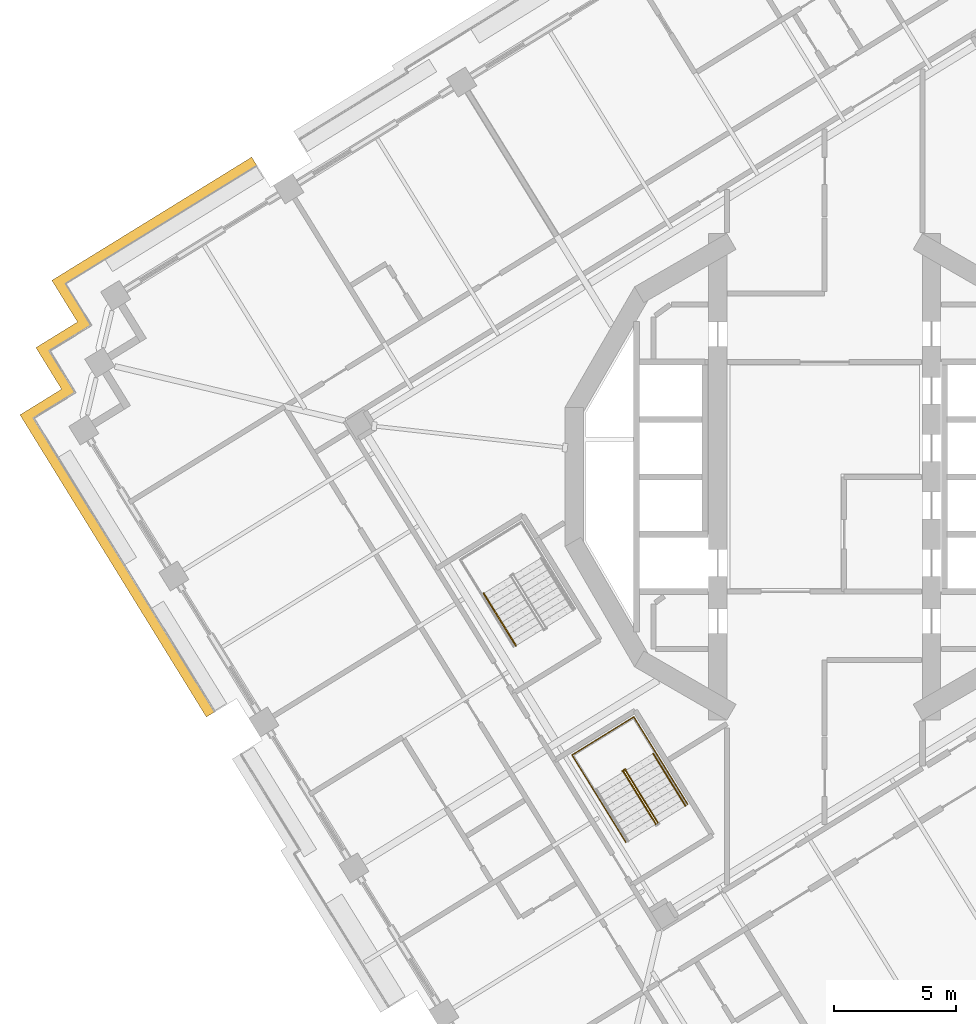
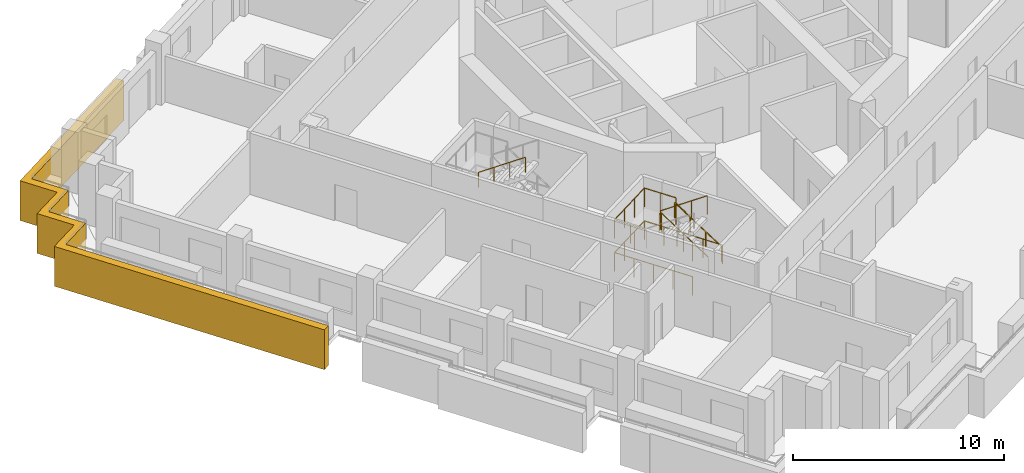
# One storey, part 14 of 21: 6 railings, 1 covering.
"""IFC4 building model written with IfcOpenShell, lengths in metres."""

from ifc_helpers import new_model, si_unit, direction, frame, origin, origin_2d, place, context, subcontext, project, spatial, polyline, circle, outline, extrude, material, type_object, element, save


model = new_model("IFC4")

# Units and contexts
model_context = context("Model", 3, precision=1e-05, world=origin(), true_north=direction((0.0, 1.0)))
body_context = subcontext(model_context, "Body", "Model", "MODEL_VIEW")
ifc_project = project(units=[si_unit("LENGTHUNIT", "METRE"), si_unit("AREAUNIT", "SQUARE_METRE"), si_unit("VOLUMEUNIT", "CUBIC_METRE"), si_unit("PLANEANGLEUNIT", "RADIAN"), si_unit("MASSUNIT", "GRAM", prefix="KILO")], contexts=[model_context])

# Site, building, storey
site_placement = place(None, origin())
site = spatial("IfcSite", under=ifc_project, at=site_placement, CompositionType="ELEMENT")
building_placement = place(site_placement, origin())
building = spatial("IfcBuilding", under=site, at=building_placement, Name="Cantera Rosa Tower", CompositionType="ELEMENT")
storey_placement = place(building_placement, frame((0.0, 0.0, 170.39990234375)))
storey = spatial("IfcBuildingStorey", under=building, at=storey_placement, Name="L37", CompositionType="ELEMENT", Elevation=170.39990234375)

# Railings
ifc_material_1 = material(Name="Steel S355J2 (EN 10025-2)", Category="steel")
railing_type_1 = type_object("IfcRailingType", Name="STAIR GUARD 1100", PredefinedType="GUARDRAIL", material=ifc_material_1)
railing_1_placement = place(storey_placement, frame((-6.8232421875, -14.165771484375, 0.190185546875)))
element("IfcRailing", 1, at=railing_1_placement, inside=storey, type_object=railing_type_1, Name="L37 ST-33 stair guard 1", PredefinedType="GUARDRAIL", context=body_context, shape_type="SweptSolid", body=[
    extrude(circle(Radius=0.02392578125, at=origin_2d()), frame((0.0, 0.0, 1.076171875), z_axis=(-0.434427613125, 0.704271375033, 0.561493080334), x_axis=(-0.851102330005, -0.524999832248, 0.0)), (0.0, 0.0, 1.0), 3.04541015625),
    extrude(circle(Radius=0.02392578125, at=origin_2d()), frame((-1.322998046875, 2.144775390625, 2.7861328125), z_axis=(-0.073711968402, 0.997279572494, 0.0), x_axis=(-0.997279572494, -0.073711968402, 0.0)), (0.0, 0.0, 1.0), 0.056396484375),
    extrude(circle(Radius=0.02392578125, at=origin_2d()), frame((-1.3271484375, 2.200927734375, 2.7861328125), z_axis=(-0.851546489876, -0.524279100842, 0.0), x_axis=(0.524279100842, -0.851546489876, 0.0)), (0.0, 0.0, 1.0), 0.14990234375),
    extrude(circle(Radius=0.02099609375, at=origin_2d()), origin(), (0.0, 0.0, 1.0), 1.052001953125),
    extrude(circle(Radius=0.02099609375, at=origin_2d()), frame((-0.44091796875, 0.71484375, 0.570068359375)), (0.0, 0.0, 1.0), 1.052001953125),
    extrude(circle(Radius=0.02099609375, at=origin_2d()), frame((-0.882080078125, 1.429931640625, 1.139892578125)), (0.0, 0.0, 1.0), 1.052001953125),
    extrude(circle(Radius=0.02099609375, at=origin_2d()), frame((-1.322998046875, 2.144775390625, 1.7099609375)), (0.0, 0.0, 1.0), 1.052001953125),
    extrude(circle(Radius=0.02099609375, at=origin_2d()), frame((-1.3271484375, 2.200927734375, 1.7099609375)), (0.0, 0.0, 1.0), 1.052001953125),
    extrude(circle(Radius=0.02099609375, at=origin_2d()), frame((-1.454833984375, 2.122314453125, 1.7099609375)), (0.0, 0.0, 1.0), 1.052001953125),
])
railing_2_placement = place(storey_placement, frame((-8.229736328125, -12.072509765625, 2.090087890625)))
element("IfcRailing", 2, at=railing_2_placement, inside=storey, type_object=railing_type_1, Name="L37 ST-33 stair guard 2", PredefinedType="GUARDRAIL", context=body_context, shape_type="SweptSolid", body=[
    extrude(circle(Radius=0.02392578125, at=origin_2d()), frame((0.0, 0.0, 1.076171875), z_axis=(0.434427613125, -0.704271375033, 0.561493080334), x_axis=(0.851102330005, 0.524999832248, 0.0)), (0.0, 0.0, 1.0), 3.04541015625),
    extrude(circle(Radius=0.02099609375, at=origin_2d()), origin(), (0.0, 0.0, 1.0), 1.052001953125),
    extrude(circle(Radius=0.02099609375, at=origin_2d()), frame((0.44091796875, -0.71484375, 0.570068359375)), (0.0, 0.0, 1.0), 1.052001953125),
    extrude(circle(Radius=0.02099609375, at=origin_2d()), frame((0.882080078125, -1.429931640625, 1.139892578125)), (0.0, 0.0, 1.0), 1.052001953125),
    extrude(circle(Radius=0.02099609375, at=origin_2d()), frame((1.322998046875, -2.144775390625, 1.7099609375)), (0.0, 0.0, 1.0), 1.052001953125),
])
railing_3_placement = place(storey_placement, frame((-5.607421875, -13.40185546875, 0.0)))
element("IfcRailing", 3, at=railing_3_placement, inside=storey, type_object=railing_type_1, Name="L37 ST-33 stair guard 4", PredefinedType="GUARDRAIL", context=body_context, shape_type="SweptSolid", body=[
    extrude(circle(Radius=0.02392578125, at=origin_2d()), frame((0.0, 0.0, 1.076171875), z_axis=(-0.524976478809, 0.851116735059, 0.0), x_axis=(-0.851116735059, -0.524976478809, 0.0)), (0.0, 0.0, 1.0), 4.197998046875),
    extrude(circle(Radius=0.02392578125, at=origin_2d()), frame((-2.203857421875, 3.572998046875, 1.076171875), z_axis=(-0.851132917336, -0.524950242429, 0.0), x_axis=(0.524950242429, -0.851132917336, 0.0)), (0.0, 0.0, 1.0), 2.969970703125),
    extrude(circle(Radius=0.02392578125, at=origin_2d()), frame((-4.731689453125, 2.013916015625, 1.076171875), z_axis=(0.524976478809, -0.851116735059, 0.0), x_axis=(0.851116735059, 0.524976478809, 0.0)), (0.0, 0.0, 1.0), 4.197998046875),
    extrude(circle(Radius=0.02099609375, at=origin_2d()), origin(), (0.0, 0.0, 1.0), 1.052001953125),
    extrude(circle(Radius=0.02099609375, at=origin_2d()), frame((-0.551025390625, 0.893310546875, 0.0)), (0.0, 0.0, 1.0), 1.052001953125),
    extrude(circle(Radius=0.02099609375, at=origin_2d()), frame((-1.10205078125, 1.78662109375, 0.0)), (0.0, 0.0, 1.0), 1.052001953125),
    extrude(circle(Radius=0.02099609375, at=origin_2d()), frame((-1.65283203125, 2.6796875, 0.0)), (0.0, 0.0, 1.0), 1.052001953125),
    extrude(circle(Radius=0.02099609375, at=origin_2d()), frame((-2.203857421875, 3.572998046875, 0.0)), (0.0, 0.0, 1.0), 1.052001953125),
    extrude(circle(Radius=0.02099609375, at=origin_2d()), frame((-3.04638671875, 3.05322265625, 0.0)), (0.0, 0.0, 1.0), 1.052001953125),
    extrude(circle(Radius=0.02099609375, at=origin_2d()), frame((-3.88916015625, 2.53369140625, 0.0)), (0.0, 0.0, 1.0), 1.052001953125),
    extrude(circle(Radius=0.02099609375, at=origin_2d()), frame((-4.731689453125, 2.013916015625, 0.0)), (0.0, 0.0, 1.0), 1.052001953125),
    extrude(circle(Radius=0.02099609375, at=origin_2d()), frame((-4.1806640625, 1.12060546875, 0.0)), (0.0, 0.0, 1.0), 1.052001953125),
    extrude(circle(Radius=0.02099609375, at=origin_2d()), frame((-3.6298828125, 0.2275390625, 0.0)), (0.0, 0.0, 1.0), 1.052001953125),
    extrude(circle(Radius=0.02099609375, at=origin_2d()), frame((-3.078857421875, -0.665771484375, 0.0)), (0.0, 0.0, 1.0), 1.052001953125),
    extrude(circle(Radius=0.02099609375, at=origin_2d()), frame((-2.52783203125, -1.55908203125, 0.0)), (0.0, 0.0, 1.0), 1.052001953125),
])
railing_4_placement = place(storey_placement, frame((-6.917724609375, -11.27734375, 1.900146484375)))
element("IfcRailing", 4, at=railing_4_placement, inside=storey, type_object=railing_type_1, Name="L37 ST-33 stair guard 5", PredefinedType="GUARDRAIL", context=body_context, shape_type="SweptSolid", body=[
    extrude(circle(Radius=0.02392578125, at=origin_2d()), frame((0.0, 0.0, 1.076171875), z_axis=(-0.525025534833, 0.851086474909, 0.0), x_axis=(-0.851086474909, -0.525025534833, 0.0)), (0.0, 0.0, 1.0), 1.701904296875),
    extrude(circle(Radius=0.02392578125, at=origin_2d()), frame((-0.8935546875, 1.448486328125, 1.076171875), z_axis=(-0.851132917336, -0.524950242429, 0.0), x_axis=(0.524950242429, -0.851132917336, 0.0)), (0.0, 0.0, 1.0), 2.969970703125),
    extrude(circle(Radius=0.02392578125, at=origin_2d()), frame((-3.42138671875, -0.110595703125, 1.076171875), z_axis=(0.524961441845, -0.851126009811, 0.0), x_axis=(0.851126009811, 0.524961441845, 0.0)), (0.0, 0.0, 1.0), 1.7021484375),
    extrude(circle(Radius=0.02099609375, at=origin_2d()), origin(), (0.0, 0.0, 1.0), 1.052001953125),
    extrude(circle(Radius=0.02099609375, at=origin_2d()), frame((-0.44677734375, 0.72412109375, 0.0)), (0.0, 0.0, 1.0), 1.052001953125),
    extrude(circle(Radius=0.02099609375, at=origin_2d()), frame((-0.8935546875, 1.448486328125, 0.0)), (0.0, 0.0, 1.0), 1.052001953125),
    extrude(circle(Radius=0.02099609375, at=origin_2d()), frame((-1.736083984375, 0.9287109375, 0.0)), (0.0, 0.0, 1.0), 1.052001953125),
    extrude(circle(Radius=0.02099609375, at=origin_2d()), frame((-2.578857421875, 0.4091796875, 0.0)), (0.0, 0.0, 1.0), 1.052001953125),
    extrude(circle(Radius=0.02099609375, at=origin_2d()), frame((-3.42138671875, -0.110595703125, 0.0)), (0.0, 0.0, 1.0), 1.052001953125),
    extrude(circle(Radius=0.02099609375, at=origin_2d()), frame((-2.974609375, -0.8349609375, 0.0)), (0.0, 0.0, 1.0), 1.052001953125),
    extrude(circle(Radius=0.02099609375, at=origin_2d()), frame((-2.52783203125, -1.559326171875, 0.0)), (0.0, 0.0, 1.0), 1.052001953125),
])
ifc_material_2 = material(Name="Steel S355J2 (EN 10025-2)", Category="steel")
railing_type_2 = type_object("IfcRailingType", Name="STAIR HANDRAIL 900", PredefinedType="HANDRAIL", material=ifc_material_2)
railing_5_placement = place(storey_placement, frame((-13.958251953125, -4.7685546875, 2.090087890625)))
element("IfcRailing", 5, at=railing_5_placement, inside=storey, type_object=railing_type_2, Name="L37 ST-32 stair handrail 2", PredefinedType="HANDRAIL", context=body_context, shape_type="SweptSolid", body=[
    extrude(circle(Radius=0.02392578125, at=origin_2d()), frame((0.0, 0.0, 0.8759765625), z_axis=(0.434427613125, -0.704271375033, 0.561493080334), x_axis=(0.851102330005, 0.524999832248, 0.0)), (0.0, 0.0, 1.0), 3.04541015625),
    extrude(circle(Radius=0.02099609375, at=origin_2d()), origin(), (0.0, 0.0, 1.0), 0.851806640625),
    extrude(circle(Radius=0.02099609375, at=origin_2d()), frame((0.44091796875, -0.71484375, 0.570068359375)), (0.0, 0.0, 1.0), 0.851806640625),
    extrude(circle(Radius=0.02099609375, at=origin_2d()), frame((0.882080078125, -1.429931640625, 1.139892578125)), (0.0, 0.0, 1.0), 0.851806640625),
    extrude(circle(Radius=0.02099609375, at=origin_2d()), frame((1.322998046875, -2.144775390625, 1.7099609375)), (0.0, 0.0, 1.0), 0.851806640625),
])
railing_6_placement = place(storey_placement, frame((-5.69482421875, -13.4697265625, 0.190185546875)))
element("IfcRailing", 6, at=railing_6_placement, inside=storey, type_object=railing_type_2, Name="L37 ST-33 stair handrail 1", PredefinedType="HANDRAIL", context=body_context, shape_type="SweptSolid", body=[
    extrude(circle(Radius=0.02392578125, at=origin_2d()), frame((0.0, 0.0, 0.8759765625), z_axis=(-0.434362572038, 0.70429590169, 0.561512634654), x_axis=(-0.851145618652, -0.524929648476, 0.0)), (0.0, 0.0, 1.0), 3.045166015625),
    extrude(circle(Radius=0.02099609375, at=origin_2d()), origin(), (0.0, 0.0, 1.0), 0.851806640625),
    extrude(circle(Radius=0.02099609375, at=origin_2d()), frame((-0.44091796875, 0.71484375, 0.570068359375)), (0.0, 0.0, 1.0), 0.851806640625),
    extrude(circle(Radius=0.02099609375, at=origin_2d()), frame((-0.8818359375, 1.429931640625, 1.139892578125)), (0.0, 0.0, 1.0), 0.851806640625),
    extrude(circle(Radius=0.02099609375, at=origin_2d()), frame((-1.32275390625, 2.144775390625, 1.7099609375)), (0.0, 0.0, 1.0), 0.851806640625),
])

# Covering
ifc_material_3 = material(Name="Cantera stone", Category="masonry")
covering_type = type_object("IfcCoveringType", Name="TRAY FASCIA 400", PredefinedType="CLADDING", material=ifc_material_3)
covering_placement = place(storey_placement, frame((0.0, 0.0, -1.39990234375)))
element("IfcCovering", 7, at=covering_placement, inside=storey, type_object=covering_type, Name="TRAY FASCIA L37-01", PredefinedType="CLADDING", context=body_context, shape_type="SweptSolid", body=[
    extrude(outline(polyline([(-25.35498046875, -9.752685546875), (-27.46533203125, -6.331298828125), (-29.040283203125, -3.77783203125), (-31.938232421875, 0.920166015625), (-32.935546875, 2.537353515625), (-31.2333984375, 3.58740234375), (-31.285888671875, 3.67236328125), (-32.283447265625, 5.28955078125), (-30.666259765625, 6.286865234375), (-30.5810546875, 6.339599609375), (-30.633544921875, 6.424560546875), (-31.631103515625, 8.041748046875), (-30.013916015625, 9.0390625), (-24.209228515625, 12.61962890625), (-23.451904296875, 13.086669921875), (-23.241943359375, 12.746337890625), (-23.999267578125, 12.279052734375), (-29.803955078125, 8.69873046875), (-31.08056640625, 7.911376953125), (-30.293212890625, 6.634521484375), (-30.03076171875, 6.208984375), (-30.456298828125, 5.946533203125), (-31.73291015625, 5.1591796875), (-30.9453125, 3.88232421875), (-30.682861328125, 3.456787109375), (-31.1083984375, 3.1943359375), (-32.38525390625, 2.406982421875), (-31.59765625, 1.130126953125), (-28.699951171875, -3.56787109375), (-27.125, -6.121337890625), (-25.014404296875, -9.542724609375), (-24.96728515625, -9.619384765625), (-25.3076171875, -9.829345703125), (-25.35498046875, -9.752685546875)])), origin(), (0.0, 0.0, 1.0), 2.300048828125),
])

save(model, "model.ifc")
